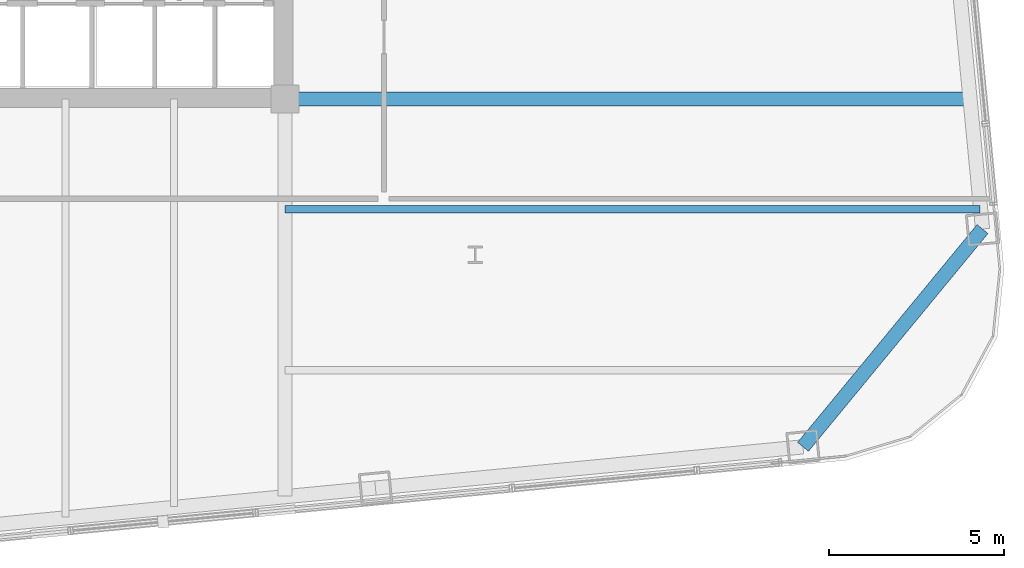
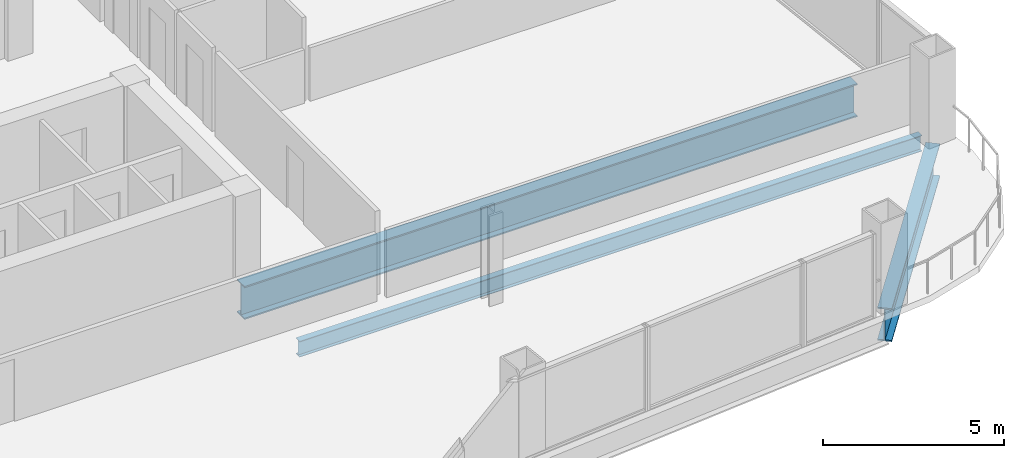
# One storey, part 10 of 26: 3 beams.
"""IFC4 building model written with IfcOpenShell, lengths in metres."""

from ifc_helpers import new_model, si_unit, direction, frame, origin, origin_2d, place, context, subcontext, project, spatial, i_section, extrude, material, material_profile, profile_set, type_object, element, save


model = new_model("IFC4")

# Units and contexts
model_context = context("Model", 3, precision=1e-05, world=origin(), true_north=direction((0.0, 1.0)))
body_context = subcontext(model_context, "Body", "Model", "MODEL_VIEW")
ifc_project = project(units=[si_unit("LENGTHUNIT", "METRE"), si_unit("AREAUNIT", "SQUARE_METRE"), si_unit("VOLUMEUNIT", "CUBIC_METRE"), si_unit("PLANEANGLEUNIT", "RADIAN"), si_unit("MASSUNIT", "GRAM", prefix="KILO")], contexts=[model_context])

# Site, building, storey
site_placement = place(None, origin())
site = spatial("IfcSite", under=ifc_project, at=site_placement, CompositionType="ELEMENT")
building_placement = place(site_placement, origin())
building = spatial("IfcBuilding", under=site, at=building_placement, Name="Qhalaya Broadcast Tower", CompositionType="ELEMENT")
storey_placement = place(building_placement, frame((0.0, 0.0, 72.5)))
storey = spatial("IfcBuildingStorey", under=building, at=storey_placement, Name="L20", CompositionType="ELEMENT", Elevation=72.5)

# Beams
ifc_material = material(Name="Structural Steel ASTM A992 Grade 50", Category="steel")
ifc_material_profile_1 = material_profile(ifc_material, i_section(OverallWidth=0.2099609375, OverallDepth=0.535888671875, WebThickness=0.010986328125, FlangeThickness=0.017333984375, at=origin_2d()), Name="W21X68")
ifc_profile_set_1 = profile_set([ifc_material_profile_1], Name="Structural Steel ASTM A992 Grade 50")
beam_type_1 = type_object("IfcBeamType", Name="Composite Floor Joist J02", PredefinedType="JOIST", material=ifc_profile_set_1)
beam_1_placement = place(storey_placement, frame((9.375, -11.89990234375, -0.488037109375), z_axis=(1.0, 0.0, 0.0), x_axis=(0.0, 1.0, 0.0)))
element("IfcBeam", 1, at=beam_1_placement, inside=storey, type_object=beam_type_1, Name="L20 J02 L20-JWE2E-1", PredefinedType="JOIST", context=body_context, shape_type="SweptSolid", body=[
    extrude(i_section(OverallWidth=0.2099609375, OverallDepth=0.535888671875, WebThickness=0.010986328125, FlangeThickness=0.017333984375, at=origin_2d()), origin(), (0.0, 0.0, 1.0), 19.843017578125),
])
ifc_material_profile_2 = material_profile(ifc_material, i_section(OverallWidth=0.404052734375, OverallDepth=1.117919921875, WebThickness=0.026123046875, FlangeThickness=0.044921875, at=origin_2d()), Name="W44X335")
ifc_profile_set_2 = profile_set([ifc_material_profile_2], Name="Structural Steel ASTM A992 Grade 50")
beam_type_2 = type_object("IfcBeamType", Name="Podium Long-Span Primary Girder PG1", PredefinedType="USERDEFINED", material=ifc_profile_set_2)
beam_2_placement = place(storey_placement, frame((24.165283203125, -18.685546875, -0.779052734375), z_axis=(0.636052208619, 0.771646025008, 0.0), x_axis=(-0.771646025008, 0.636052208619, 0.0)))
element("IfcBeam", 2, at=beam_2_placement, inside=storey, type_object=beam_type_2, Name="L20 PG1 L20-SPR-04", ObjectType="GIRDER", PredefinedType="USERDEFINED", context=body_context, shape_type="SweptSolid", body=[
    extrude(i_section(OverallWidth=0.404052734375, OverallDepth=1.117919921875, WebThickness=0.026123046875, FlangeThickness=0.044921875, at=origin_2d()), origin(), (0.0, 0.0, 1.0), 8.06103515625),
])
beam_3_placement = place(storey_placement, frame((9.375, -8.75, -0.779052734375), z_axis=(1.0, 0.0, 0.0), x_axis=(0.0, 1.0, 0.0)))
element("IfcBeam", 3, at=beam_3_placement, inside=storey, type_object=beam_type_2, Name="L20 PG1 L20-PGYE1-1", ObjectType="GIRDER", PredefinedType="USERDEFINED", context=body_context, shape_type="SweptSolid", body=[
    extrude(i_section(OverallWidth=0.404052734375, OverallDepth=1.117919921875, WebThickness=0.026123046875, FlangeThickness=0.044921875, at=origin_2d()), origin(), (0.0, 0.0, 1.0), 19.539794921875),
])

save(model, "model.ifc")
